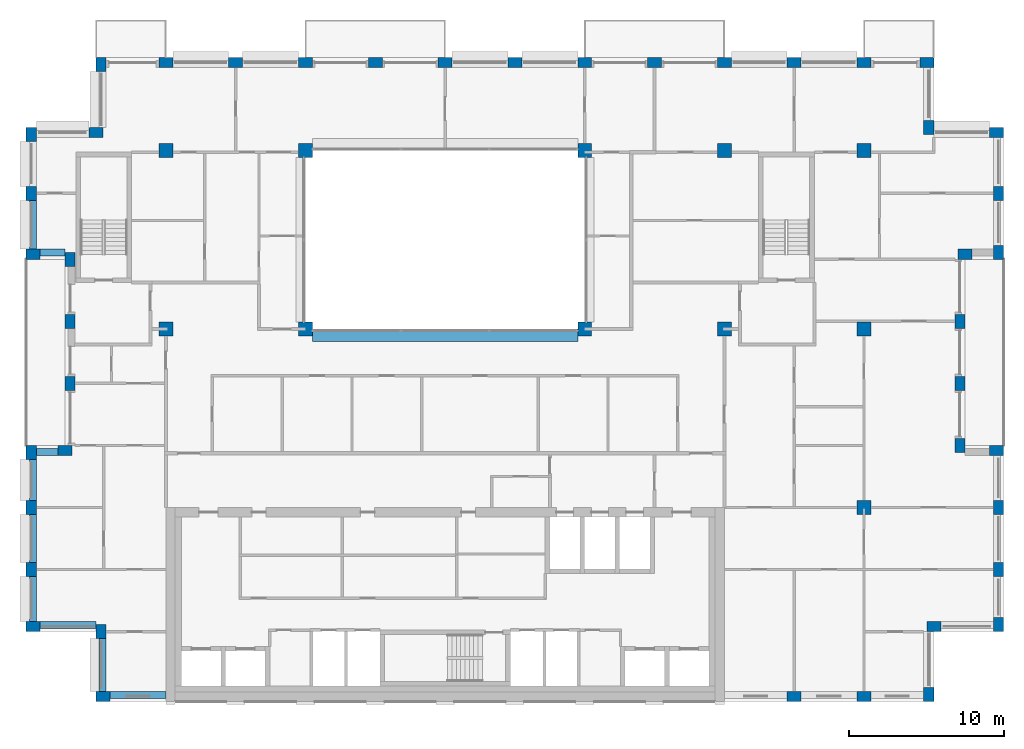
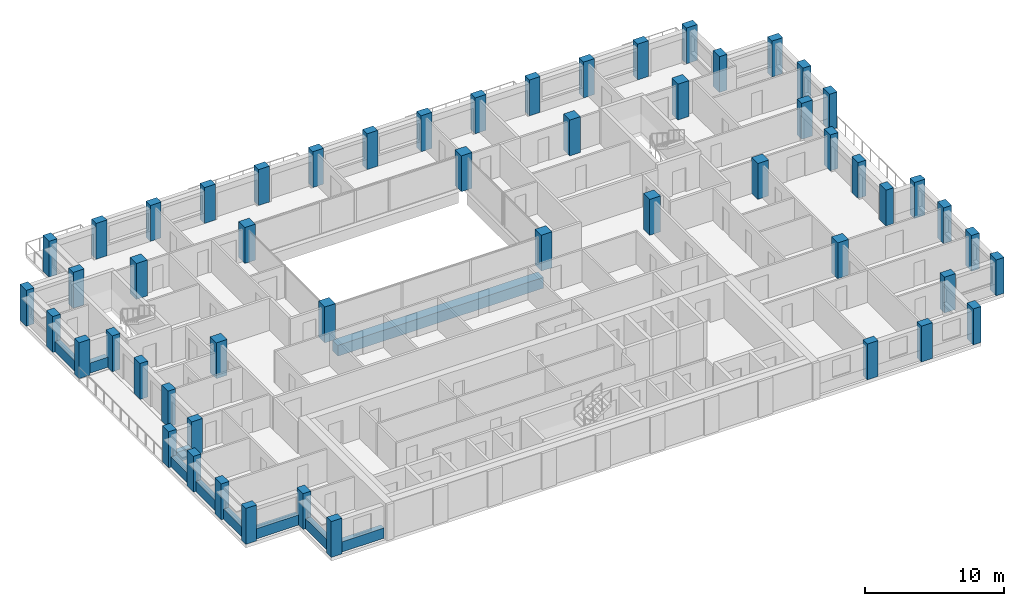
# One storey, part 1 of 15: 54 columns, 10 beams.
"""IFC4 building model written with IfcOpenShell, lengths in metres."""

from ifc_helpers import new_model, si_unit, direction, frame, origin, origin_2d, place, context, subcontext, project, spatial, rectangle, extrude, material, material_profile, profile_set, type_object, element, save


model = new_model("IFC4")

# Units and contexts
model_context = context("Model", 3, precision=1e-05, world=origin(), true_north=direction((0.0, 1.0)))
body_context = subcontext(model_context, "Body", "Model", "MODEL_VIEW")
ifc_project = project(units=[si_unit("LENGTHUNIT", "METRE"), si_unit("AREAUNIT", "SQUARE_METRE"), si_unit("VOLUMEUNIT", "CUBIC_METRE"), si_unit("PLANEANGLEUNIT", "RADIAN"), si_unit("MASSUNIT", "GRAM", prefix="KILO")], contexts=[model_context])

# Site, building, storey
site_placement = place(None, origin())
site = spatial("IfcSite", under=ifc_project, at=site_placement, CompositionType="ELEMENT")
building_placement = place(site_placement, origin())
building = spatial("IfcBuilding", under=site, at=building_placement, Name="Brigalow Station Residences", CompositionType="ELEMENT")
storey_placement = place(building_placement, frame((0.0, 0.0, 229.5)))
storey = spatial("IfcBuildingStorey", under=building, at=storey_placement, Name="L66", CompositionType="ELEMENT", Elevation=229.5)

# Columns
ifc_material_1 = material(Name="Concrete C50", Category="concrete")
ifc_material_profile_1 = material_profile(ifc_material_1, rectangle(XDim=0.89990234375, YDim=0.89990234375, at=origin_2d()), Name="RC900x900")
ifc_profile_set_1 = profile_set([ifc_material_profile_1], Name="Concrete C50")
column_type_1 = type_object("IfcColumnType", Name="COLUMN 900x900 C50", PredefinedType="COLUMN", material=ifc_profile_set_1)
for number, where, z_axis, x_axis, name in (
    (1, (18.0, 24.0, 0.0), (0.0, 0.0, 1.0), (1.0, 0.0, 0.0), "COLUMN C2 L66"),
    (2, (27.0, 24.0, 0.0), (0.0, 0.0, 1.0), (1.0, 0.0, 0.0), "COLUMN C3 L66"),
    (3, (45.0, 24.0, 0.0), (0.0, 0.0, 1.0), (1.0, 0.0, 0.0), "COLUMN C5 L66"),
    (4, (54.0, 24.0, 0.0), (0.0, 0.0, 1.0), (1.0, 0.0, 0.0), "COLUMN C6 L66"),
    (5, (63.0, 24.0, 0.0), (0.0, 0.0, 1.0), (1.0, 0.0, 0.0), "COLUMN C7 L66"),
    (6, (18.0, 35.5, 0.0), (0.0, 0.0, 1.0), (1.0, 0.0, 0.0), "COLUMN D2 L66"),
    (7, (27.0, 35.5, 0.0), (0.0, 0.0, 1.0), (1.0, 0.0, 0.0), "COLUMN D3 L66"),
    (8, (45.0, 35.5, 0.0), (0.0, 0.0, 1.0), (1.0, 0.0, 0.0), "COLUMN D5 L66"),
    (9, (54.0, 35.5, 0.0), (0.0, 0.0, 1.0), (1.0, 0.0, 0.0), "COLUMN D6 L66"),
    (10, (63.0, 35.5, 0.0), (0.0, 0.0, 1.0), (1.0, 0.0, 0.0), "COLUMN D7 L66"),
    (11, (63.0, 12.5, 0.0), (0.0, 0.0, 1.0), (1.0, 0.0, 0.0), "COLUMN B7 L66"),
):
    element("IfcColumn", number, at=place(storey_placement, frame(where, z_axis=z_axis, x_axis=x_axis)), inside=storey, type_object=column_type_1, Name=name, PredefinedType="COLUMN", context=body_context, shape_type="SweptSolid", body=[
        extrude(rectangle(XDim=0.89990234375, YDim=0.89990234375, at=origin_2d()), origin(), (0.0, 0.0, 1.0), 3.14990234375),
    ])
ifc_material_2 = material(Name="Concrete C50", Category="concrete")
ifc_material_profile_2 = material_profile(ifc_material_2, rectangle(XDim=0.89990234375, YDim=0.64990234375, at=origin_2d()), Name="RC900x650")
ifc_profile_set_2 = profile_set([ifc_material_profile_2], Name="Concrete C50")
column_type_2 = type_object("IfcColumnType", Name="PIER 900x650 C50", PredefinedType="USERDEFINED", material=ifc_profile_set_2)
for number, where, z_axis, x_axis, name in (
    (12, (13.949951171875, 0.324951171875, 0.0), (0.0, 0.0, 1.0), (1.0, 0.0, 0.0), "PIER S-1 L66"),
    (13, (58.5, 0.324951171875, 0.0), (0.0, 0.0, 1.0), (1.0, 0.0, 0.0), "PIER S-11 L66"),
    (14, (63.0, 0.324951171875, 0.0), (0.0, 0.0, 1.0), (1.0, 0.0, 0.0), "PIER S-12 L66"),
    (15, (67.175048828125, 0.449951171875, 0.0), (0.0, 0.0, 1.0), (0.0, 1.0, 0.0), "PIER SE1-1 L66"),
    (16, (67.5, 4.824951171875, 0.0), (0.0, 0.0, 1.0), (1.0, 0.0, 0.0), "PIER SE2-1 L66"),
    (17, (71.675048828125, 4.949951171875, 0.0), (0.0, 0.0, 1.0), (0.0, 1.0, 0.0), "PIER E1-1 L66"),
    (18, (71.675048828125, 8.5, 0.0), (0.0, 0.0, 1.0), (0.0, 1.0, 0.0), "PIER E1-2 L66"),
    (19, (71.675048828125, 12.5, 0.0), (0.0, 0.0, 1.0), (0.0, 1.0, 0.0), "PIER E1-3 L66"),
    (20, (71.550048828125, 16.175048828125, 0.0), (0.0, 0.0, 1.0), (-1.0, 0.0, 0.0), "PIER EL1-1 L66"),
    (21, (69.175048828125, 16.5, 0.0), (0.0, 0.0, 1.0), (0.0, 1.0, 0.0), "PIER EL2-1 L66"),
    (22, (69.175048828125, 20.5, 0.0), (0.0, 0.0, 1.0), (0.0, 1.0, 0.0), "PIER EL2-2 L66"),
    (23, (69.175048828125, 24.5, 0.0), (0.0, 0.0, 1.0), (0.0, 1.0, 0.0), "PIER EL2-3 L66"),
    (24, (69.5, 28.824951171875, 0.0), (0.0, 0.0, 1.0), (1.0, 0.0, 0.0), "PIER EL3-1 L66"),
    (25, (71.675048828125, 28.949951171875, 0.0), (0.0, 0.0, 1.0), (0.0, 1.0, 0.0), "PIER E2-1 L66"),
    (26, (71.675048828125, 32.75, 0.0), (0.0, 0.0, 1.0), (0.0, 1.0, 0.0), "PIER E2-2 L66"),
    (27, (71.550048828125, 36.675048828125, 0.0), (0.0, 0.0, 1.0), (-1.0, 0.0, 0.0), "PIER NE1-1 L66"),
    (28, (67.175048828125, 37.0, 0.0), (0.0, 0.0, 1.0), (0.0, 1.0, 0.0), "PIER NE2-1 L66"),
    (29, (67.050048828125, 41.175048828125, 0.0), (0.0, 0.0, 1.0), (-1.0, 0.0, 0.0), "PIER N-1 L66"),
    (30, (63.0, 41.175048828125, 0.0), (0.0, 0.0, 1.0), (-1.0, 0.0, 0.0), "PIER N-2 L66"),
    (31, (58.5, 41.175048828125, 0.0), (0.0, 0.0, 1.0), (-1.0, 0.0, 0.0), "PIER N-3 L66"),
    (32, (54.0, 41.175048828125, 0.0), (0.0, 0.0, 1.0), (-1.0, 0.0, 0.0), "PIER N-4 L66"),
    (33, (49.5, 41.175048828125, 0.0), (0.0, 0.0, 1.0), (-1.0, 0.0, 0.0), "PIER N-5 L66"),
    (34, (45.0, 41.175048828125, 0.0), (0.0, 0.0, 1.0), (-1.0, 0.0, 0.0), "PIER N-6 L66"),
    (35, (40.5, 41.175048828125, 0.0), (0.0, 0.0, 1.0), (-1.0, 0.0, 0.0), "PIER N-7 L66"),
    (36, (36.0, 41.175048828125, 0.0), (0.0, 0.0, 1.0), (-1.0, 0.0, 0.0), "PIER N-8 L66"),
    (37, (31.5, 41.175048828125, 0.0), (0.0, 0.0, 1.0), (-1.0, 0.0, 0.0), "PIER N-9 L66"),
    (38, (27.0, 41.175048828125, 0.0), (0.0, 0.0, 1.0), (-1.0, 0.0, 0.0), "PIER N-10 L66"),
    (39, (22.5, 41.175048828125, 0.0), (0.0, 0.0, 1.0), (-1.0, 0.0, 0.0), "PIER N-11 L66"),
    (40, (18.0, 41.175048828125, 0.0), (0.0, 0.0, 1.0), (-1.0, 0.0, 0.0), "PIER N-12 L66"),
    (41, (13.824951171875, 41.050048828125, 0.0), (0.0, 0.0, 1.0), (0.0, -1.0, 0.0), "PIER NW1-1 L66"),
    (42, (13.5, 36.675048828125, 0.0), (0.0, 0.0, 1.0), (-1.0, 0.0, 0.0), "PIER NW2-1 L66"),
    (43, (9.324951171875, 36.550048828125, 0.0), (0.0, 0.0, 1.0), (0.0, -1.0, 0.0), "PIER W2-1 L66"),
    (44, (9.324951171875, 32.75, 0.0), (0.0, 0.0, 1.0), (0.0, -1.0, 0.0), "PIER W2-2 L66"),
    (45, (9.449951171875, 28.824951171875, 0.0), (0.0, 0.0, 1.0), (1.0, 0.0, 0.0), "PIER WL1-1 L66"),
    (46, (11.824951171875, 28.5, 0.0), (0.0, 0.0, 1.0), (0.0, -1.0, 0.0), "PIER WL2-1 L66"),
    (47, (11.824951171875, 24.5, 0.0), (0.0, 0.0, 1.0), (0.0, -1.0, 0.0), "PIER WL2-2 L66"),
    (48, (11.824951171875, 20.5, 0.0), (0.0, 0.0, 1.0), (0.0, -1.0, 0.0), "PIER WL2-3 L66"),
    (49, (11.5, 16.175048828125, 0.0), (0.0, 0.0, 1.0), (-1.0, 0.0, 0.0), "PIER WL3-1 L66"),
    (50, (9.324951171875, 16.050048828125, 0.0), (0.0, 0.0, 1.0), (0.0, -1.0, 0.0), "PIER W1-1 L66"),
    (51, (9.324951171875, 12.5, 0.0), (0.0, 0.0, 1.0), (0.0, -1.0, 0.0), "PIER W1-2 L66"),
    (52, (9.324951171875, 8.5, 0.0), (0.0, 0.0, 1.0), (0.0, -1.0, 0.0), "PIER W1-3 L66"),
    (53, (9.449951171875, 4.824951171875, 0.0), (0.0, 0.0, 1.0), (1.0, 0.0, 0.0), "PIER SW1-1 L66"),
    (54, (13.824951171875, 4.5, 0.0), (0.0, 0.0, 1.0), (0.0, -1.0, 0.0), "PIER SW2-1 L66"),
):
    element("IfcColumn", number, at=place(storey_placement, frame(where, z_axis=z_axis, x_axis=x_axis)), inside=storey, type_object=column_type_2, Name=name, ObjectType="PIER", PredefinedType="USERDEFINED", context=body_context, shape_type="SweptSolid", body=[
        extrude(rectangle(XDim=0.89990234375, YDim=0.64990234375, at=origin_2d()), origin(), (0.0, 0.0, 1.0), 3.14990234375),
    ])

# Beams
ifc_material_3 = material(Name="Concrete C65", Category="concrete")
ifc_material_profile_3 = material_profile(ifc_material_3, rectangle(XDim=0.800048828125, YDim=0.949951171875, at=origin_2d()), Name="RC800x950")
ifc_profile_set_3 = profile_set([ifc_material_profile_3], Name="Concrete C65")
beam_type_1 = type_object("IfcBeamType", Name="ATRIUM EDGE GIRDER OVER 13.5 M SPAN 800x950 C65", PredefinedType="BEAM", material=ifc_profile_set_3)
beam_1_placement = place(storey_placement, frame((27.449951171875, 23.60009765625, -0.794921875), z_axis=(1.0, 0.0, 0.0), x_axis=(0.0, 1.0, 0.0)))
element("IfcBeam", 55, at=beam_1_placement, inside=storey, type_object=beam_type_1, Name="ATRIUM EDGE GIRDER C L66", PredefinedType="BEAM", context=body_context, shape_type="SweptSolid", body=[
    extrude(rectangle(XDim=0.800048828125, YDim=0.949951171875, at=origin_2d()), origin(), (0.0, 0.0, 1.0), 17.10009765625),
])
ifc_material_4 = material(Name="Concrete C50", Category="concrete")
ifc_material_profile_4 = material_profile(ifc_material_4, rectangle(XDim=0.449951171875, YDim=0.89990234375, at=origin_2d()), Name="RC450x900")
ifc_profile_set_4 = profile_set([ifc_material_profile_4], Name="Concrete C50")
beam_type_2 = type_object("IfcBeamType", Name="SPANDREL BEAM 450x900 C50", PredefinedType="SPANDREL", material=ifc_profile_set_4)
beam_2_placement = place(storey_placement, frame((14.39990234375, 0.425048828125, 0.449951171875), z_axis=(1.0, 0.0, 0.0), x_axis=(0.0, 1.0, 0.0)))
element("IfcBeam", 56, at=beam_2_placement, inside=storey, type_object=beam_type_2, Name="L66/spandrel/W-L66-1", PredefinedType="SPANDREL", context=body_context, shape_type="SweptSolid", body=[
    extrude(rectangle(XDim=0.449951171875, YDim=0.89990234375, at=origin_2d()), origin(), (0.0, 0.0, 1.0), 3.60009765625),
])
beam_3_placement = place(storey_placement, frame((9.425048828125, 32.300048828125, 0.449951171875), z_axis=(0.0, -1.0, 0.0), x_axis=(1.0, 0.0, 0.0)))
element("IfcBeam", 57, at=beam_3_placement, inside=storey, type_object=beam_type_2, Name="L66/spandrel/W-L66-35", PredefinedType="SPANDREL", context=body_context, shape_type="SweptSolid", body=[
    extrude(rectangle(XDim=0.449951171875, YDim=0.89990234375, at=origin_2d()), origin(), (0.0, 0.0, 1.0), 3.150146484375),
])
beam_4_placement = place(storey_placement, frame((9.89990234375, 28.925048828125, 0.449951171875), z_axis=(1.0, 0.0, 0.0), x_axis=(0.0, 1.0, 0.0)))
element("IfcBeam", 58, at=beam_4_placement, inside=storey, type_object=beam_type_2, Name="L66/spandrel/W-L66-36", PredefinedType="SPANDREL", context=body_context, shape_type="SweptSolid", body=[
    extrude(rectangle(XDim=0.449951171875, YDim=0.89990234375, at=origin_2d()), origin(), (0.0, 0.0, 1.0), 1.60009765625),
])
beam_5_placement = place(storey_placement, frame((11.050048828125, 16.074951171875, 0.449951171875), z_axis=(-1.0, 0.0, 0.0), x_axis=(0.0, -1.0, 0.0)))
element("IfcBeam", 59, at=beam_5_placement, inside=storey, type_object=beam_type_2, Name="L66/spandrel/W-L66-40", PredefinedType="SPANDREL", context=body_context, shape_type="SweptSolid", body=[
    extrude(rectangle(XDim=0.449951171875, YDim=0.89990234375, at=origin_2d()), origin(), (0.0, 0.0, 1.0), 1.400146484375),
])
beam_6_placement = place(storey_placement, frame((9.425048828125, 15.60009765625, 0.449951171875), z_axis=(0.0, -1.0, 0.0), x_axis=(1.0, 0.0, 0.0)))
element("IfcBeam", 60, at=beam_6_placement, inside=storey, type_object=beam_type_2, Name="L66/spandrel/W-L66-41", PredefinedType="SPANDREL", context=body_context, shape_type="SweptSolid", body=[
    extrude(rectangle(XDim=0.449951171875, YDim=0.89990234375, at=origin_2d()), origin(), (0.0, 0.0, 1.0), 2.650146484375),
])
beam_7_placement = place(storey_placement, frame((9.425048828125, 12.050048828125, 0.449951171875), z_axis=(0.0, -1.0, 0.0), x_axis=(1.0, 0.0, 0.0)))
element("IfcBeam", 61, at=beam_7_placement, inside=storey, type_object=beam_type_2, Name="L66/spandrel/W-L66-42", PredefinedType="SPANDREL", context=body_context, shape_type="SweptSolid", body=[
    extrude(rectangle(XDim=0.449951171875, YDim=0.89990234375, at=origin_2d()), origin(), (0.0, 0.0, 1.0), 3.10009765625),
])
beam_8_placement = place(storey_placement, frame((9.425048828125, 8.050048828125, 0.449951171875), z_axis=(0.0, -1.0, 0.0), x_axis=(1.0, 0.0, 0.0)))
element("IfcBeam", 62, at=beam_8_placement, inside=storey, type_object=beam_type_2, Name="L66/spandrel/W-L66-43", PredefinedType="SPANDREL", context=body_context, shape_type="SweptSolid", body=[
    extrude(rectangle(XDim=0.449951171875, YDim=0.89990234375, at=origin_2d()), origin(), (0.0, 0.0, 1.0), 2.900146484375),
])
beam_9_placement = place(storey_placement, frame((9.89990234375, 4.925048828125, 0.449951171875), z_axis=(1.0, 0.0, 0.0), x_axis=(0.0, 1.0, 0.0)))
element("IfcBeam", 63, at=beam_9_placement, inside=storey, type_object=beam_type_2, Name="L66/spandrel/W-L66-44", PredefinedType="SPANDREL", context=body_context, shape_type="SweptSolid", body=[
    extrude(rectangle(XDim=0.449951171875, YDim=0.89990234375, at=origin_2d()), origin(), (0.0, 0.0, 1.0), 3.60009765625),
])
beam_10_placement = place(storey_placement, frame((13.925048828125, 4.050048828125, 0.449951171875), z_axis=(0.0, -1.0, 0.0), x_axis=(1.0, 0.0, 0.0)))
element("IfcBeam", 64, at=beam_10_placement, inside=storey, type_object=beam_type_2, Name="L66/spandrel/W-L66-45", PredefinedType="SPANDREL", context=body_context, shape_type="SweptSolid", body=[
    extrude(rectangle(XDim=0.449951171875, YDim=0.89990234375, at=origin_2d()), origin(), (0.0, 0.0, 1.0), 3.400146484375),
])

save(model, "model.ifc")
